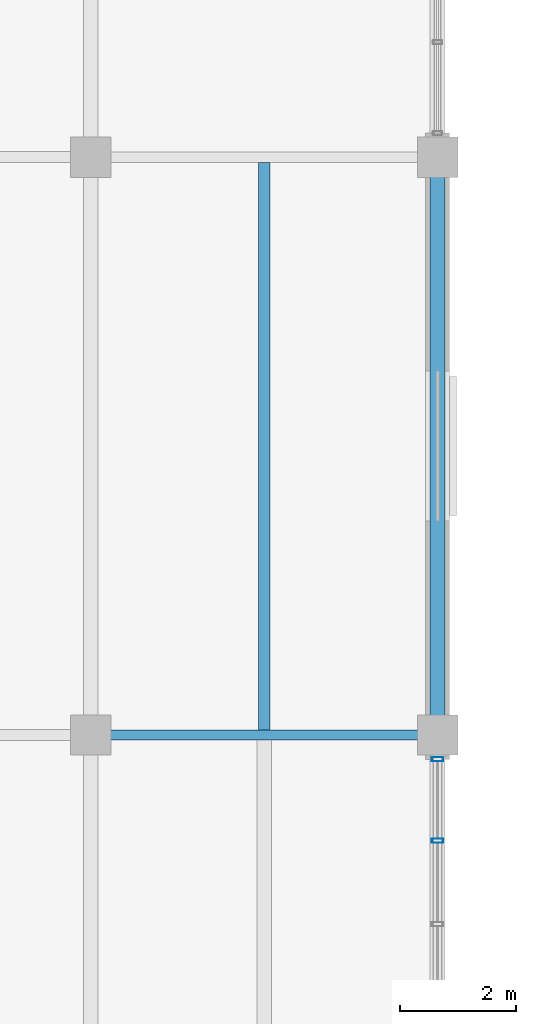
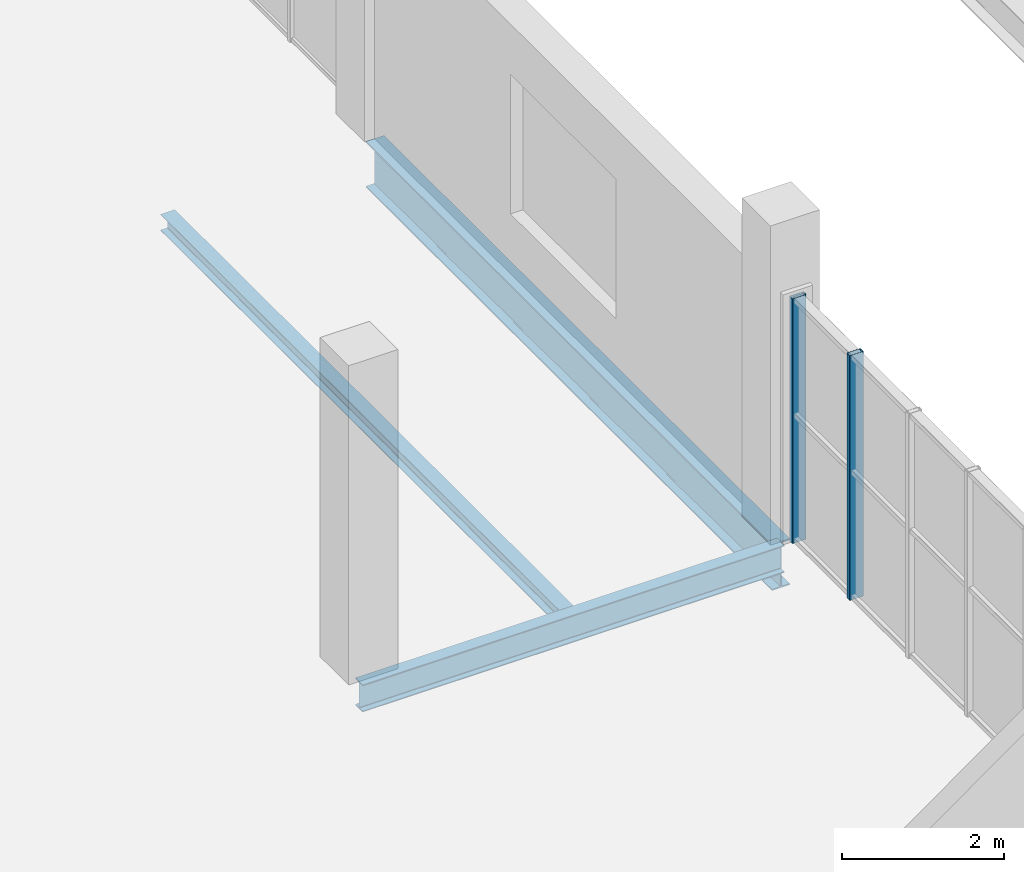
# One storey, part 57 of 114: 3 beams, 2 members, 1 element without a shape of its own.
"""IFC4 building model written with IfcOpenShell, lengths in metres."""

from ifc_helpers import new_model, si_unit, direction, frame, origin, origin_2d, place, context, subcontext, project, spatial, hollow_rectangle, i_section, extrude, material, material_profile, profile_set, type_object, element, aggregate, save


model = new_model("IFC4")

# Units and contexts
model_context = context("Model", 3, precision=1e-05, world=origin(), true_north=direction((0.0, 1.0)))
body_context = subcontext(model_context, "Body", "Model", "MODEL_VIEW")
ifc_project = project(units=[si_unit("LENGTHUNIT", "METRE"), si_unit("AREAUNIT", "SQUARE_METRE"), si_unit("VOLUMEUNIT", "CUBIC_METRE"), si_unit("PLANEANGLEUNIT", "RADIAN"), si_unit("MASSUNIT", "GRAM", prefix="KILO")], contexts=[model_context])

# Site, building, storey
site_placement = place(None, origin())
site = spatial("IfcSite", under=ifc_project, at=site_placement, CompositionType="ELEMENT")
building_placement = place(site_placement, origin())
building = spatial("IfcBuilding", under=site, at=building_placement, Name="Verrall Gate Interchange", CompositionType="ELEMENT")
storey_placement = place(building_placement, frame((0.0, 0.0, 6.60009765625)))
storey = spatial("IfcBuildingStorey", under=building, at=storey_placement, Name="L02", CompositionType="ELEMENT", Elevation=6.60009765625)

# Beams
ifc_material_1 = material(Name="Structural Steel CSA G40.21 350WT Cat 4", Category="steel")
ifc_material_profile_1 = material_profile(ifc_material_1, i_section(OverallWidth=0.256103515625, OverallDepth=0.693115234375, WebThickness=0.01318359375, FlangeThickness=0.02001953125, FilletRadius=0.01611328125, at=origin_2d()), Name="W690x170")
ifc_profile_set_1 = profile_set([ifc_material_profile_1], Name="Structural Steel CSA G40.21 350WT Cat 4")
beam_type_1 = type_object("IfcBeamType", Name="B-07 Structural Beam W690x170", PredefinedType="BEAM", material=ifc_profile_set_1)
beam_1_placement = place(storey_placement, frame((36.0, 74.0, -0.626708984375), z_axis=(0.0, 1.0, 0.0), x_axis=(-1.0, 0.0, 0.0)))
element("IfcBeam", 1, at=beam_1_placement, inside=storey, type_object=beam_type_1, Name="L02 Girder BM-L02-1730 (B-07)", PredefinedType="BEAM", context=body_context, shape_type="SweptSolid", body=[
    extrude(i_section(OverallWidth=0.256103515625, OverallDepth=0.693115234375, WebThickness=0.01318359375, FlangeThickness=0.02001953125, FilletRadius=0.01611328125, at=origin_2d()), origin(), (0.0, 0.0, 1.0), 10.0),
])
ifc_material_2 = material(Name="Structural Steel CSA G40.21 350W", Category="steel")
ifc_material_profile_2 = material_profile(ifc_material_2, i_section(OverallWidth=0.178955078125, OverallDepth=0.409912109375, WebThickness=0.0087890625, FlangeThickness=0.014404296875, FilletRadius=0.011962890625, at=origin_2d()), Name="W410x67")
ifc_profile_set_2 = profile_set([ifc_material_profile_2], Name="Structural Steel CSA G40.21 350W")
beam_type_2 = type_object("IfcBeamType", Name="B-12 Structural Beam W410x67", PredefinedType="BEAM", material=ifc_profile_set_2)
beam_2_placement = place(storey_placement, frame((30.0, 74.0, -0.485107421875), z_axis=(1.0, 0.0, 0.0), x_axis=(0.0, 1.0, 0.0)))
element("IfcBeam", 2, at=beam_2_placement, inside=storey, type_object=beam_type_2, Name="L02 Girder BM-L02-1620 (B-12)", PredefinedType="BEAM", context=body_context, shape_type="SweptSolid", body=[
    extrude(i_section(OverallWidth=0.178955078125, OverallDepth=0.409912109375, WebThickness=0.0087890625, FlangeThickness=0.014404296875, FilletRadius=0.011962890625, at=origin_2d()), origin(), (0.0, 0.0, 1.0), 6.0),
])

# Curtain wall, members
ifc_material_3 = material(Name="Thermally Broken Anodized Aluminium Curtain Wall Framing", Category="aluminium")
curtain_wall_type = type_object("IfcCurtainWallType", Name="CW-26 Unitized Curtain Wall 7186x3680", PredefinedType="NOTDEFINED", material=ifc_material_3)
curtain_wall_placement = place(storey_placement, origin())
curtain_wall = element("IfcCurtainWall", 3, at=curtain_wall_placement, inside=storey, type_object=curtain_wall_type, Name="L02 Unitized Curtain Wall CW-L02-101", PredefinedType="NOTDEFINED")
ifc_material_4 = material(Name="Thermally Broken Anodized Aluminium Curtain Wall Framing", Category="aluminium")
ifc_material_profile_3 = material_profile(ifc_material_4, hollow_rectangle(XDim=0.074951171875, YDim=0.199951171875, WallThickness=0.0048828125, InnerFilletRadius=0.0048828125, OuterFilletRadius=0.010009765625, at=origin_2d()), Name="CWM200x75x5")
ifc_profile_set_3 = profile_set([ifc_material_profile_3], Name="Thermally Broken Anodized Aluminium Curtain Wall Framing")
member_type = type_object("IfcMemberType", Name="CM-02 Curtain Mullion CWM200x75x5", PredefinedType="MULLION", material=ifc_profile_set_3)
member_1_placement = place(storey_placement, frame((36.0, 72.1708984375, 0.0), z_axis=(0.0, 0.0, 1.0), x_axis=(0.0, 1.0, 0.0)))
member_1 = element("IfcMember", 4, at=member_1_placement, type_object=member_type, Name="CW-L02-101 Mullion 5", PredefinedType="MULLION", context=body_context, shape_type="SweptSolid", body=[
    extrude(hollow_rectangle(XDim=0.074951171875, YDim=0.199951171875, WallThickness=0.0048828125, InnerFilletRadius=0.0048828125, OuterFilletRadius=0.010009765625, at=origin_2d()), origin(), (0.0, 0.0, 1.0), 3.679931640625),
])
member_2_placement = place(storey_placement, frame((36.0, 73.58056640625, 0.0), z_axis=(0.0, 0.0, 1.0), x_axis=(0.0, 1.0, 0.0)))
member_2 = element("IfcMember", 5, at=member_2_placement, type_object=member_type, Name="CW-L02-101 Mullion 6", PredefinedType="MULLION", context=body_context, shape_type="SweptSolid", body=[
    extrude(hollow_rectangle(XDim=0.074951171875, YDim=0.199951171875, WallThickness=0.0048828125, InnerFilletRadius=0.0048828125, OuterFilletRadius=0.010009765625, at=origin_2d()), origin(), (0.0, 0.0, 1.0), 3.679931640625),
])
aggregate(curtain_wall, [member_1, member_2])

# Beam
ifc_material_5 = material(Name="Structural Steel CSA G40.21 350W", Category="steel")
ifc_material_profile_4 = material_profile(ifc_material_5, i_section(OverallWidth=0.201904296875, OverallDepth=0.2470703125, WebThickness=0.00732421875, FlangeThickness=0.010986328125, FilletRadius=0.010986328125, at=origin_2d()), Name="W250x49")
ifc_profile_set_4 = profile_set([ifc_material_profile_4], Name="Structural Steel CSA G40.21 350W")
beam_type_3 = type_object("IfcBeamType", Name="J-06 Floor Joist W250x49", PredefinedType="JOIST", material=ifc_profile_set_4)
beam_3_placement = place(storey_placement, frame((33.0, 74.089599609375, -0.403564453125), z_axis=(0.0, 1.0, 0.0), x_axis=(-1.0, 0.0, 0.0)))
element("IfcBeam", 6, at=beam_3_placement, inside=storey, type_object=beam_type_3, Name="L02 Secondary Floor Joist JST-L02-1974", PredefinedType="JOIST", context=body_context, shape_type="SweptSolid", body=[
    extrude(i_section(OverallWidth=0.201904296875, OverallDepth=0.2470703125, WebThickness=0.00732421875, FlangeThickness=0.010986328125, FilletRadius=0.010986328125, at=origin_2d()), origin(), (0.0, 0.0, 1.0), 9.82080078125),
])

save(model, "model.ifc")
